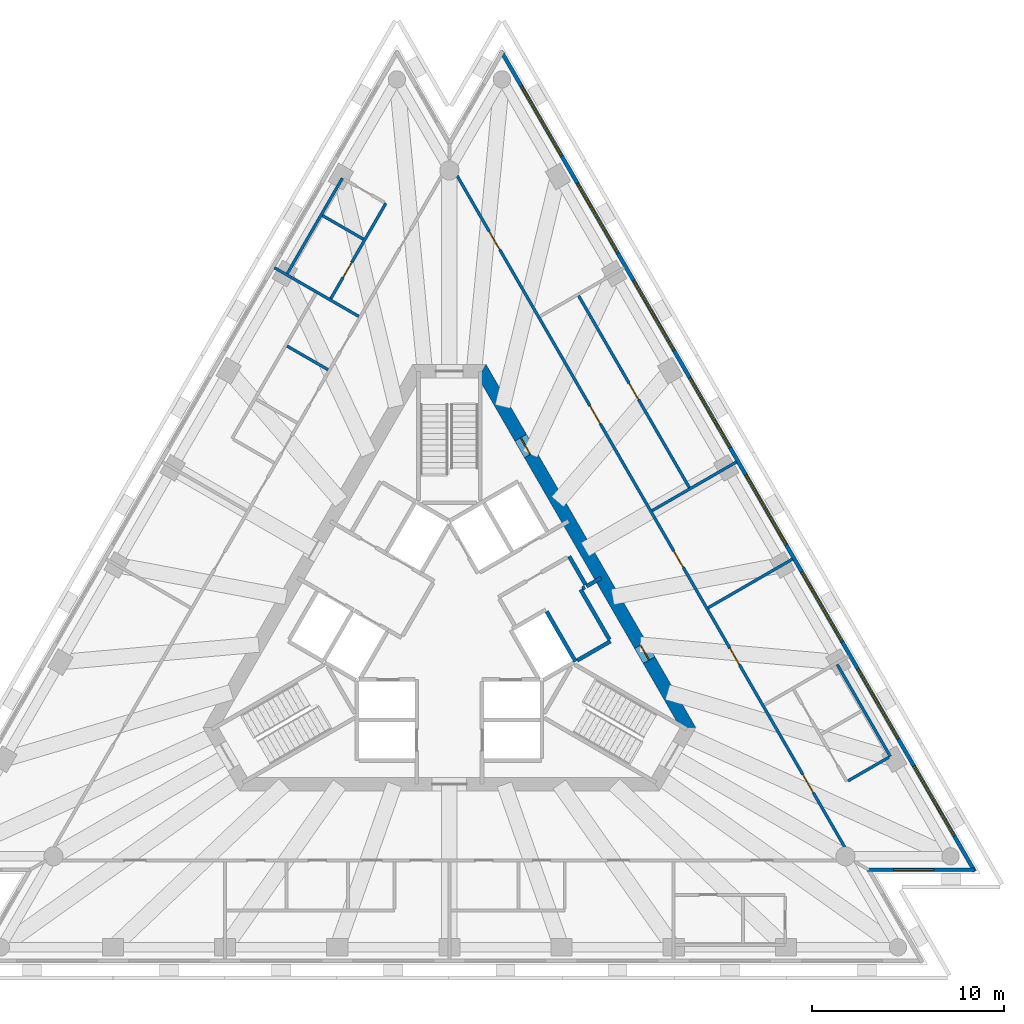
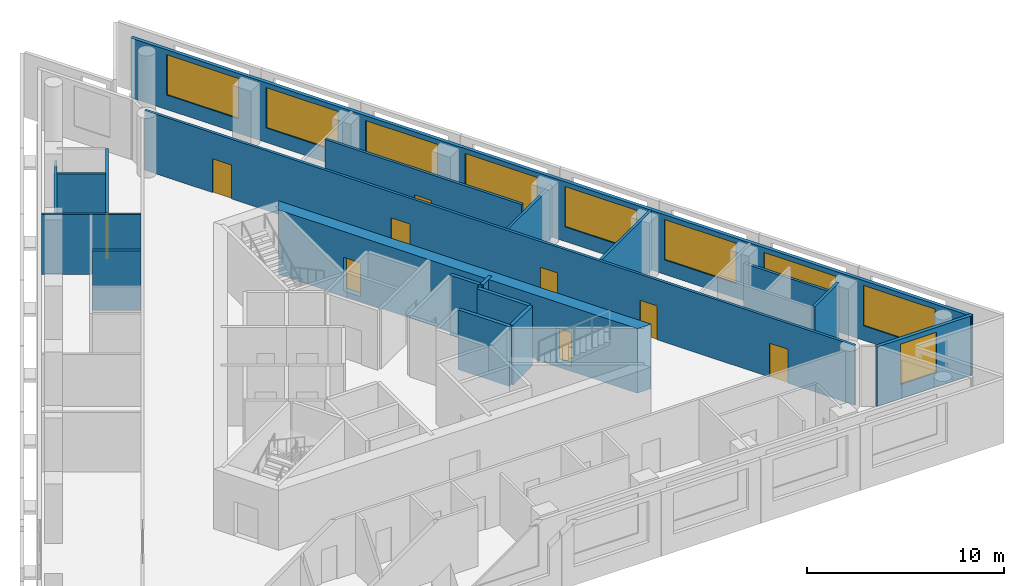
# One storey, part 6 of 10: 20 walls, 9 doors, 9 windows, 18 openings.
"""IFC4 building model written with IfcOpenShell, lengths in metres."""

from ifc_helpers import new_model, si_unit, direction, frame, frame_2d, origin, place, context, subcontext, project, spatial, polyline, rectangle, outline, extrude, material, layer, layer_set, layer_usage, type_object, element, fill, save


model = new_model("IFC4")

# Units and contexts
model_context = context("Model", 3, precision=1e-05, world=origin(), true_north=direction((0.0, 1.0)))
body_context = subcontext(model_context, "Body", "Model", "MODEL_VIEW")
ifc_project = project(units=[si_unit("LENGTHUNIT", "METRE"), si_unit("AREAUNIT", "SQUARE_METRE"), si_unit("VOLUMEUNIT", "CUBIC_METRE"), si_unit("PLANEANGLEUNIT", "RADIAN"), si_unit("MASSUNIT", "GRAM", prefix="KILO")], contexts=[model_context])

# Site, building, storey
site_placement = place(None, origin())
site = spatial("IfcSite", under=ifc_project, at=site_placement, CompositionType="ELEMENT")
building_placement = place(site_placement, origin())
building = spatial("IfcBuilding", under=site, at=building_placement, Name="Triada Interchange Tower", CompositionType="ELEMENT")
storey_placement = place(building_placement, frame((0.0, 0.0, 247.300048828125)))
storey = spatial("IfcBuildingStorey", under=building, at=storey_placement, Name="L58", CompositionType="ELEMENT", Elevation=247.300048828125)

# Walls
ifc_material_1 = material(Name="Concrete C30/37", Category="concrete")
ifc_layer_1 = layer(ifc_material_1, 0.199951171875)
ifc_layer_set_1 = layer_set([ifc_layer_1], Name="CORE WALL 200 EI 120")
wall_type_1 = type_object("IfcWallType", Name="CORE WALL 200 EI 120", PredefinedType="SOLIDWALL", material=ifc_layer_set_1)
wall_1_placement = place(storey_placement, frame((7.12890625, 2.153076171875, 0.0), z_axis=(0.0, 0.0, 1.0), x_axis=(0.866083962871, 0.499898558967, 0.0)))
element("IfcWall", 1, at=wall_1_placement, inside=storey, type_object=wall_type_1, Name="Wall L56 58", PredefinedType="SOLIDWALL", context=body_context, shape_type="SweptSolid", body=[
    extrude(rectangle(XDim=0.880126953125, YDim=0.199951171875, at=frame_2d((0.43994140625, 0.0))), origin(), (0.0, 0.0, 1.0), 3.699951171875),
])
wall_2_placement = place(storey_placement, frame((5.056884765625, 0.841064453125, 0.0), z_axis=(0.0, 0.0, 1.0), x_axis=(0.499990139034, -0.866031096941, 0.0)))
element("IfcWall", 2, at=wall_2_placement, inside=storey, type_object=wall_type_1, Name="Wall L56 61", PredefinedType="SOLIDWALL", context=body_context, shape_type="SweptSolid", body=[
    extrude(rectangle(XDim=3.0, YDim=0.199951171875, at=frame_2d((1.5, 0.0))), origin(), (0.0, 0.0, 1.0), 3.699951171875),
])
wall_3_placement = place(storey_placement, frame((6.22900390625, 3.7119140625, 0.0), z_axis=(0.0, 0.0, 1.0), x_axis=(0.499875724984, -0.86609714211, 0.0)))
element("IfcWall", 3, at=wall_3_placement, inside=storey, type_object=wall_type_1, Name="Wall L56 63", PredefinedType="SOLIDWALL", context=body_context, shape_type="SweptSolid", body=[
    extrude(rectangle(XDim=1.70068359375, YDim=0.199951171875, at=frame_2d((0.850341796875, 0.0))), origin(), (0.0, 0.0, 1.0), 3.699951171875),
])
ifc_layer_2 = layer(ifc_material_1, 0.199951171875)
ifc_layer_set_2 = layer_set([ifc_layer_2], Name="CORE WALL 200 EI 90")
wall_type_2 = type_object("IfcWallType", Name="CORE WALL 200 EI 90", PredefinedType="SOLIDWALL", material=ifc_layer_set_2)
wall_4_placement = place(storey_placement, frame((6.64208984375, -1.7080078125, 0.0), z_axis=(0.0, 0.0, 1.0), x_axis=(0.866043441391, 0.499968756647, 0.0)))
element("IfcWall", 4, at=wall_4_placement, inside=storey, type_object=wall_type_2, Name="Wall L56 81", PredefinedType="SOLIDWALL", context=body_context, shape_type="SweptSolid", body=[
    extrude(rectangle(XDim=2.002197265625, YDim=0.199951171875, at=frame_2d((1.0009765625, 0.0))), origin(), (0.0, 0.0, 1.0), 3.699951171875),
])
wall_5_placement = place(storey_placement, frame((6.825927734375, 1.97802734375, 0.0), z_axis=(0.0, 0.0, 1.0), x_axis=(0.499990139034, -0.866031096941, 0.0)))
element("IfcWall", 5, at=wall_5_placement, inside=storey, type_object=wall_type_2, Name="Wall L56 82", PredefinedType="SOLIDWALL", context=body_context, shape_type="SweptSolid", body=[
    extrude(rectangle(XDim=3.0, YDim=0.199951171875, at=frame_2d((1.5, 0.0))), origin(), (0.0, 0.0, 1.0), 3.699951171875),
])
wall_6_placement = place(storey_placement, frame((6.912109375, 2.028076171875, 0.0), z_axis=(0.0, 0.0, 1.0), x_axis=(0.866559367082, 0.499074005857, 0.0)))
element("IfcWall", 6, at=wall_6_placement, inside=storey, type_object=wall_type_2, Name="Wall L56 83", PredefinedType="SOLIDWALL", context=body_context, shape_type="SweptSolid", body=[
    extrude(rectangle(XDim=0.152099609375, YDim=0.199951171875, at=frame_2d((0.076171875, 0.0))), origin(), (0.0, 0.0, 1.0), 3.699951171875),
])

# Wall, openings, doors
ifc_material_2 = material(Name="Concrete C50/60", Category="concrete")
ifc_layer_3 = layer(ifc_material_2, 0.699951171875)
ifc_layer_set_3 = layer_set([ifc_layer_3], Name="Core wall C 700")
wall_type_3 = type_object("IfcWallType", Name="Core wall C 700", PredefinedType="SHEAR", material=ifc_layer_set_3)
wall_7_placement = place(storey_placement, frame((12.4130859375, -5.199951171875, -0.300048828125), z_axis=(0.0, 0.0, 1.0), x_axis=(-0.500011533395, 0.866018744874, 0.0)))
wall_7 = element("IfcWall", 7, at=wall_7_placement, inside=storey, type_object=wall_type_3, Name="Core wall WC06 L58", PredefinedType="SHEAR", context=body_context, shape_type="SweptSolid", body=[
    extrude(outline(polyline([(-0.201904296875, -0.35009765625), (1.781982421875, -0.35009765625), (3.76611328125, -0.35009765625), (5.75, -0.35009765625), (7.734130859375, -0.35009765625), (9.718017578125, -0.35009765625), (11.7021484375, -0.35009765625), (13.68603515625, -0.35009765625), (15.670166015625, -0.35009765625), (17.654052734375, -0.35009765625), (19.63818359375, -0.35009765625), (21.6220703125, -0.35009765625), (21.218017578125, 0.35009765625), (19.307373046875, 0.35009765625), (17.39697265625, 0.35009765625), (15.486328125, 0.35009765625), (13.57568359375, 0.35009765625), (11.665283203125, 0.35009765625), (9.754638671875, 0.35009765625), (7.84423828125, 0.35009765625), (5.93359375, 0.35009765625), (4.02294921875, 0.35009765625), (2.112548828125, 0.35009765625), (0.201904296875, 0.35009765625), (-0.201904296875, -0.35009765625)])), origin(), (0.0, 0.0, 1.0), 4.0),
])
opening_1_placement = place(wall_7_placement, frame((4.054931640625, 0.0, 0.300048828125)))
opening_1 = element("IfcOpeningElement", 8, at=opening_1_placement, cuts=wall_7, Name="Opening D56-44", PredefinedType="OPENING", context=body_context, shape_type="SweptSolid", body=[
    extrude(rectangle(XDim=0.89990234375, YDim=2.10009765625, at=frame_2d((0.449951171875, 1.050048828125))), frame((0.0, 0.360107421875, 0.0), z_axis=(0.0, -1.0, 0.0), x_axis=(1.0, 0.0, 0.0)), (0.0, 0.0, 1.0), 0.72021484375),
])
opening_2_placement = place(wall_7_placement, frame((16.4150390625, 0.0, 0.300048828125)))
opening_2 = element("IfcOpeningElement", 9, at=opening_2_placement, cuts=wall_7, Name="Opening D56-45", PredefinedType="OPENING", context=body_context, shape_type="SweptSolid", body=[
    extrude(rectangle(XDim=1.0, YDim=2.10009765625, at=frame_2d((0.5, 1.050048828125))), frame((0.0, 0.360107421875, 0.0), z_axis=(0.0, -1.0, 0.0), x_axis=(1.0, 0.0, 0.0)), (0.0, 0.0, 1.0), 0.72021484375),
])
ifc_material_3 = material(Name="Steel S235 door leaf", Category="steel")
door_type_1 = type_object("IfcDoorType", Name="SERVICE DOOR 1000 EI2 45-C5S200", OperationType="NOTDEFINED", PredefinedType="DOOR", material=ifc_material_3)
door_1_placement = place(opening_2_placement, origin())
door_1 = element("IfcDoor", 10, at=door_1_placement, inside=storey, type_object=door_type_1, Name="Door D56-45 L58", OperationType="SINGLE_SWING_RIGHT", OverallHeight=2.10009765625, OverallWidth=1.0, PredefinedType="DOOR", context=body_context, shape_type="SweptSolid", body=[
    extrude(rectangle(XDim=1.0, YDim=2.10009765625, at=frame_2d((0.5, 1.050048828125))), frame((0.0, 0.02490234375, 0.0), z_axis=(0.0, -1.0, 0.0), x_axis=(1.0, 0.0, 0.0)), (0.0, 0.0, 1.0), 0.050048828125),
])
fill(opening_2, door_1)
door_type_2 = type_object("IfcDoorType", Name="SERVICE DOOR 900 EI2 45-C5S200", OperationType="NOTDEFINED", PredefinedType="DOOR", material=ifc_material_3)
door_2_placement = place(opening_1_placement, origin())
door_2 = element("IfcDoor", 11, at=door_2_placement, inside=storey, type_object=door_type_2, Name="Door D56-44 L58", OperationType="SINGLE_SWING_RIGHT", OverallHeight=2.10009765625, OverallWidth=0.89990234375, PredefinedType="DOOR", context=body_context, shape_type="SweptSolid", body=[
    extrude(rectangle(XDim=0.89990234375, YDim=2.10009765625, at=frame_2d((0.449951171875, 1.050048828125))), frame((0.0, 0.02490234375, 0.0), z_axis=(0.0, -1.0, 0.0), x_axis=(1.0, 0.0, 0.0)), (0.0, 0.0, 1.0), 0.050048828125),
])
fill(opening_1, door_2)

# Wall, opening, window
ifc_material_4 = material(Name="Cement board")
ifc_layer_4 = layer(ifc_material_4, 0.02001953125, Name="Cement board cladding")
ifc_material_5 = material(Name="Sheathing board")
ifc_layer_5 = layer(ifc_material_5, 0.014892578125, Name="Sheathing board")
ifc_material_6 = material(Name="Mineral wool")
ifc_layer_6 = layer(ifc_material_6, 0.14990234375, Name="Mineral wool between steel studs")
ifc_material_7 = material(Name="Gypsum board")
ifc_layer_7 = layer(ifc_material_7, 0.014892578125, Name="Plasterboard lining")
ifc_layer_set_4 = layer_set([ifc_layer_4, ifc_layer_5, ifc_layer_6, ifc_layer_7], Name="External wall 200")
ifc_layer_usage = layer_usage(ifc_layer_set_4, "AXIS2", "POSITIVE", -0.10009765625)
wall_type_4 = type_object("IfcWallType", Name="External wall 200", PredefinedType="ELEMENTEDWALL", material=ifc_layer_set_4)
wall_8_placement = place(storey_placement, frame((21.720947265625, -12.593017578125, 0.0), z_axis=(0.0, 0.0, 1.0), x_axis=(1.0, 0.0, 0.0)))
wall_8 = element("IfcWall", 12, at=wall_8_placement, inside=storey, type_object=wall_type_4, material=ifc_layer_usage, Name="External wall L58 SE-2", PredefinedType="ELEMENTEDWALL", context=body_context, shape_type="SweptSolid", body=[
    extrude(rectangle(XDim=5.6240234375, YDim=0.199951171875, at=frame_2d((2.81201171875, 0.0))), origin(), (0.0, 0.0, 1.0), 3.699951171875),
])
opening_3_placement = place(wall_8_placement, frame((1.389892578125, 0.0, 0.89990234375)))
opening_3 = element("IfcOpeningElement", 13, at=opening_3_placement, cuts=wall_8, Name="Opening WC20", PredefinedType="OPENING", context=body_context, shape_type="SweptSolid", body=[
    extrude(rectangle(XDim=2.10009765625, YDim=2.5, at=frame_2d((1.050048828125, 1.25))), frame((0.0, 0.10986328125, 0.0), z_axis=(0.0, -1.0, 0.0), x_axis=(1.0, 0.0, 0.0)), (0.0, 0.0, 1.0), 0.219970703125),
])
ifc_material_8 = material(Name="Double glazed aluminium window", Category="aluminium")
window_type_1 = type_object("IfcWindowType", Name="Ribbon window C pocket", PartitioningType="SINGLE_PANEL", PredefinedType="WINDOW", material=ifc_material_8)
window_1_placement = place(opening_3_placement, origin())
window_1 = element("IfcWindow", 14, at=window_1_placement, inside=storey, type_object=window_type_1, Name="Window L58 SE-2 1", OverallHeight=2.5, OverallWidth=2.10009765625, PartitioningType="SINGLE_PANEL", PredefinedType="WINDOW", context=body_context, shape_type="SweptSolid", body=[
    extrude(rectangle(XDim=2.10009765625, YDim=2.5, at=frame_2d((1.050048828125, 1.25))), frame((0.0, 0.030029296875, 0.0), z_axis=(0.0, -1.0, 0.0), x_axis=(1.0, 0.0, 0.0)), (0.0, 0.0, 1.0), 0.06005859375),
])
fill(opening_3, window_1)

# Wall, openings, windows
wall_9_placement = place(storey_placement, frame((27.320068359375, -12.6708984375, 0.0), z_axis=(0.0, 0.0, 1.0), x_axis=(-0.499995097538, 0.866028234204, 0.0)))
wall_9 = element("IfcWall", 15, at=wall_9_placement, inside=storey, type_object=wall_type_4, material=ifc_layer_usage, Name="External wall L58 NE", PredefinedType="ELEMENTEDWALL", context=body_context, shape_type="SweptSolid", body=[
    extrude(rectangle(XDim=49.24658203125, YDim=0.199951171875, at=frame_2d((24.623291015625, 0.0))), origin(), (0.0, 0.0, 1.0), 3.699951171875),
])
opening_4_placement = place(wall_9_placement, frame((2.118896484375, 0.0, 0.89990234375)))
opening_4 = element("IfcOpeningElement", 16, at=opening_4_placement, cuts=wall_9, Name="Opening WC21", PredefinedType="OPENING", context=body_context, shape_type="SweptSolid", body=[
    extrude(rectangle(XDim=4.199951171875, YDim=2.5, at=frame_2d((2.10009765625, 1.25))), frame((0.0, 0.10986328125, 0.0), z_axis=(0.0, -1.0, 0.0), x_axis=(1.0, 0.0, 0.0)), (0.0, 0.0, 1.0), 0.219970703125),
])
opening_5_placement = place(wall_9_placement, frame((7.951904296875, 0.0, 0.89990234375)))
opening_5 = element("IfcOpeningElement", 17, at=opening_5_placement, cuts=wall_9, Name="Opening WC22", PredefinedType="OPENING", context=body_context, shape_type="SweptSolid", body=[
    extrude(rectangle(XDim=4.199951171875, YDim=2.5, at=frame_2d((2.10009765625, 1.25))), frame((0.0, 0.10986328125, 0.0), z_axis=(0.0, -1.0, 0.0), x_axis=(1.0, 0.0, 0.0)), (0.0, 0.0, 1.0), 0.219970703125),
])
opening_6_placement = place(wall_9_placement, frame((13.783935546875, 0.0, 0.89990234375)))
opening_6 = element("IfcOpeningElement", 18, at=opening_6_placement, cuts=wall_9, Name="Opening WC23", PredefinedType="OPENING", context=body_context, shape_type="SweptSolid", body=[
    extrude(rectangle(XDim=4.199951171875, YDim=2.5, at=frame_2d((2.10009765625, 1.25))), frame((0.0, 0.10986328125, 0.0), z_axis=(0.0, -1.0, 0.0), x_axis=(1.0, 0.0, 0.0)), (0.0, 0.0, 1.0), 0.219970703125),
])
opening_7_placement = place(wall_9_placement, frame((19.616943359375, 0.0, 0.89990234375)))
opening_7 = element("IfcOpeningElement", 19, at=opening_7_placement, cuts=wall_9, Name="Opening WC24", PredefinedType="OPENING", context=body_context, shape_type="SweptSolid", body=[
    extrude(rectangle(XDim=4.199951171875, YDim=2.5, at=frame_2d((2.10009765625, 1.25))), frame((0.0, 0.10986328125, 0.0), z_axis=(0.0, -1.0, 0.0), x_axis=(1.0, 0.0, 0.0)), (0.0, 0.0, 1.0), 0.219970703125),
])
opening_8_placement = place(wall_9_placement, frame((25.449951171875, 0.0, 0.89990234375)))
opening_8 = element("IfcOpeningElement", 20, at=opening_8_placement, cuts=wall_9, Name="Opening WC25", PredefinedType="OPENING", context=body_context, shape_type="SweptSolid", body=[
    extrude(rectangle(XDim=4.199951171875, YDim=2.5, at=frame_2d((2.10009765625, 1.25))), frame((0.0, 0.10986328125, 0.0), z_axis=(0.0, -1.0, 0.0), x_axis=(1.0, 0.0, 0.0)), (0.0, 0.0, 1.0), 0.219970703125),
])
opening_9_placement = place(wall_9_placement, frame((31.281982421875, 0.0, 0.89990234375)))
opening_9 = element("IfcOpeningElement", 21, at=opening_9_placement, cuts=wall_9, Name="Opening WC26", PredefinedType="OPENING", context=body_context, shape_type="SweptSolid", body=[
    extrude(rectangle(XDim=4.199951171875, YDim=2.5, at=frame_2d((2.10009765625, 1.25))), frame((0.0, 0.10986328125, 0.0), z_axis=(0.0, -1.0, 0.0), x_axis=(1.0, 0.0, 0.0)), (0.0, 0.0, 1.0), 0.219970703125),
])
opening_10_placement = place(wall_9_placement, frame((37.114990234375, 0.0, 0.89990234375)))
opening_10 = element("IfcOpeningElement", 22, at=opening_10_placement, cuts=wall_9, Name="Opening WC27", PredefinedType="OPENING", context=body_context, shape_type="SweptSolid", body=[
    extrude(rectangle(XDim=4.199951171875, YDim=2.5, at=frame_2d((2.10009765625, 1.25))), frame((0.0, 0.10986328125, 0.0), z_axis=(0.0, -1.0, 0.0), x_axis=(1.0, 0.0, 0.0)), (0.0, 0.0, 1.0), 0.219970703125),
])
opening_11_placement = place(wall_9_placement, frame((42.947021484375, 0.0, 0.89990234375)))
opening_11 = element("IfcOpeningElement", 23, at=opening_11_placement, cuts=wall_9, Name="Opening WC28", PredefinedType="OPENING", context=body_context, shape_type="SweptSolid", body=[
    extrude(rectangle(XDim=4.199951171875, YDim=2.5, at=frame_2d((2.10009765625, 1.25))), frame((0.0, 0.10986328125, 0.0), z_axis=(0.0, -1.0, 0.0), x_axis=(1.0, 0.0, 0.0)), (0.0, 0.0, 1.0), 0.219970703125),
])
window_type_2 = type_object("IfcWindowType", Name="Ribbon window C face", PartitioningType="SINGLE_PANEL", PredefinedType="WINDOW", material=ifc_material_8)
window_2_placement = place(opening_4_placement, origin())
window_2 = element("IfcWindow", 24, at=window_2_placement, inside=storey, type_object=window_type_2, Name="Window L58 NE 1", OverallHeight=2.5, OverallWidth=4.199951171875, PartitioningType="SINGLE_PANEL", PredefinedType="WINDOW", context=body_context, shape_type="SweptSolid", body=[
    extrude(rectangle(XDim=4.199951171875, YDim=2.5, at=frame_2d((2.10009765625, 1.25))), frame((0.0, 0.030029296875, 0.0), z_axis=(0.0, -1.0, 0.0), x_axis=(1.0, 0.0, 0.0)), (0.0, 0.0, 1.0), 0.06005859375),
])
fill(opening_4, window_2)
window_3_placement = place(opening_5_placement, origin())
window_3 = element("IfcWindow", 25, at=window_3_placement, inside=storey, type_object=window_type_2, Name="Window L58 NE 2", OverallHeight=2.5, OverallWidth=4.199951171875, PartitioningType="SINGLE_PANEL", PredefinedType="WINDOW", context=body_context, shape_type="SweptSolid", body=[
    extrude(rectangle(XDim=4.199951171875, YDim=2.5, at=frame_2d((2.10009765625, 1.25))), frame((0.0, 0.030029296875, 0.0), z_axis=(0.0, -1.0, 0.0), x_axis=(1.0, 0.0, 0.0)), (0.0, 0.0, 1.0), 0.06005859375),
])
fill(opening_5, window_3)
window_4_placement = place(opening_6_placement, origin())
window_4 = element("IfcWindow", 26, at=window_4_placement, inside=storey, type_object=window_type_2, Name="Window L58 NE 3", OverallHeight=2.5, OverallWidth=4.199951171875, PartitioningType="SINGLE_PANEL", PredefinedType="WINDOW", context=body_context, shape_type="SweptSolid", body=[
    extrude(rectangle(XDim=4.199951171875, YDim=2.5, at=frame_2d((2.10009765625, 1.25))), frame((0.0, 0.030029296875, 0.0), z_axis=(0.0, -1.0, 0.0), x_axis=(1.0, 0.0, 0.0)), (0.0, 0.0, 1.0), 0.06005859375),
])
fill(opening_6, window_4)
window_5_placement = place(opening_7_placement, origin())
window_5 = element("IfcWindow", 27, at=window_5_placement, inside=storey, type_object=window_type_2, Name="Window L58 NE 4", OverallHeight=2.5, OverallWidth=4.199951171875, PartitioningType="SINGLE_PANEL", PredefinedType="WINDOW", context=body_context, shape_type="SweptSolid", body=[
    extrude(rectangle(XDim=4.199951171875, YDim=2.5, at=frame_2d((2.10009765625, 1.25))), frame((0.0, 0.030029296875, 0.0), z_axis=(0.0, -1.0, 0.0), x_axis=(1.0, 0.0, 0.0)), (0.0, 0.0, 1.0), 0.06005859375),
])
fill(opening_7, window_5)
window_6_placement = place(opening_8_placement, origin())
window_6 = element("IfcWindow", 28, at=window_6_placement, inside=storey, type_object=window_type_2, Name="Window L58 NE 5", OverallHeight=2.5, OverallWidth=4.199951171875, PartitioningType="SINGLE_PANEL", PredefinedType="WINDOW", context=body_context, shape_type="SweptSolid", body=[
    extrude(rectangle(XDim=4.199951171875, YDim=2.5, at=frame_2d((2.10009765625, 1.25))), frame((0.0, 0.030029296875, 0.0), z_axis=(0.0, -1.0, 0.0), x_axis=(1.0, 0.0, 0.0)), (0.0, 0.0, 1.0), 0.06005859375),
])
fill(opening_8, window_6)
window_7_placement = place(opening_9_placement, origin())
window_7 = element("IfcWindow", 29, at=window_7_placement, inside=storey, type_object=window_type_2, Name="Window L58 NE 6", OverallHeight=2.5, OverallWidth=4.199951171875, PartitioningType="SINGLE_PANEL", PredefinedType="WINDOW", context=body_context, shape_type="SweptSolid", body=[
    extrude(rectangle(XDim=4.199951171875, YDim=2.5, at=frame_2d((2.10009765625, 1.25))), frame((0.0, 0.030029296875, 0.0), z_axis=(0.0, -1.0, 0.0), x_axis=(1.0, 0.0, 0.0)), (0.0, 0.0, 1.0), 0.06005859375),
])
fill(opening_9, window_7)
window_8_placement = place(opening_10_placement, origin())
window_8 = element("IfcWindow", 30, at=window_8_placement, inside=storey, type_object=window_type_2, Name="Window L58 NE 7", OverallHeight=2.5, OverallWidth=4.199951171875, PartitioningType="SINGLE_PANEL", PredefinedType="WINDOW", context=body_context, shape_type="SweptSolid", body=[
    extrude(rectangle(XDim=4.199951171875, YDim=2.5, at=frame_2d((2.10009765625, 1.25))), frame((0.0, 0.030029296875, 0.0), z_axis=(0.0, -1.0, 0.0), x_axis=(1.0, 0.0, 0.0)), (0.0, 0.0, 1.0), 0.06005859375),
])
fill(opening_10, window_8)
window_9_placement = place(opening_11_placement, origin())
window_9 = element("IfcWindow", 31, at=window_9_placement, inside=storey, type_object=window_type_2, Name="Window L58 NE 8", OverallHeight=2.5, OverallWidth=4.199951171875, PartitioningType="SINGLE_PANEL", PredefinedType="WINDOW", context=body_context, shape_type="SweptSolid", body=[
    extrude(rectangle(XDim=4.199951171875, YDim=2.5, at=frame_2d((2.10009765625, 1.25))), frame((0.0, 0.030029296875, 0.0), z_axis=(0.0, -1.0, 0.0), x_axis=(1.0, 0.0, 0.0)), (0.0, 0.0, 1.0), 0.06005859375),
])
fill(opening_11, window_9)

# Walls
ifc_material_9 = material(Name="Gypsum board partition")
ifc_layer_8 = layer(ifc_material_9, 0.14990234375)
ifc_layer_set_5 = layer_set([ifc_layer_8], Name="PARTITION 150 EI 180")
wall_type_5 = type_object("IfcWallType", Name="PARTITION 150 EI 180", PredefinedType="PARTITIONING", material=ifc_layer_set_5)
wall_10_placement = place(storey_placement, frame((10.5439453125, 6.087890625, 0.0), z_axis=(0.0, 0.0, 1.0), x_axis=(0.866065287345, 0.499930913282, 0.0)))
element("IfcWall", 32, at=wall_10_placement, inside=storey, type_object=wall_type_5, Name="Wall L56 2", PredefinedType="PARTITIONING", context=body_context, shape_type="SweptSolid", body=[
    extrude(rectangle(XDim=5.069091796875, YDim=0.14990234375, at=frame_2d((2.53466796875, 0.0))), origin(), (0.0, 0.0, 1.0), 3.199951171875),
])
wall_11_placement = place(storey_placement, frame((-9.10107421875, 18.72412109375, 0.0), z_axis=(0.0, 0.0, 1.0), x_axis=(0.866065287345, -0.499930913282, 0.0)))
element("IfcWall", 33, at=wall_11_placement, inside=storey, type_object=wall_type_5, Name="Wall L56 14", PredefinedType="PARTITIONING", context=body_context, shape_type="SweptSolid", body=[
    extrude(rectangle(XDim=5.069091796875, YDim=0.14990234375, at=frame_2d((2.53466796875, 0.0))), origin(), (0.0, 0.0, 1.0), 3.699951171875),
])
wall_12_placement = place(storey_placement, frame((-8.444091796875, 14.64892578125, 0.0), z_axis=(0.0, 0.0, 1.0), x_axis=(0.86612451545, -0.499828294254, 0.0)))
element("IfcWall", 34, at=wall_12_placement, inside=storey, type_object=wall_type_5, Name="Wall L56 15", PredefinedType="PARTITIONING", context=body_context, shape_type="SweptSolid", body=[
    extrude(rectangle(XDim=2.462646484375, YDim=0.14990234375, at=frame_2d((1.2314453125, 0.0))), origin(), (0.0, 0.0, 1.0), 3.699951171875),
])

# Wall, openings, doors
wall_13_placement = place(storey_placement, frame((0.074951171875, 24.070068359375, 0.0), z_axis=(0.0, 0.0, 1.0), x_axis=(0.500006834213, -0.866021458014, 0.0)))
wall_13 = element("IfcWall", 35, at=wall_13_placement, inside=storey, type_object=wall_type_5, Name="Wall L56 21", PredefinedType="PARTITIONING", context=body_context, shape_type="SweptSolid", body=[
    extrude(rectangle(XDim=41.61572265625, YDim=0.14990234375, at=frame_2d((20.807861328125, 0.0))), origin(), (0.0, 0.0, 1.0), 3.699951171875),
])
opening_12_placement = place(wall_13_placement, frame((36.615966796875, 0.0, 0.0)))
opening_12 = element("IfcOpeningElement", 36, at=opening_12_placement, cuts=wall_13, Name="Opening D56-22", PredefinedType="OPENING", context=body_context, shape_type="SweptSolid", body=[
    extrude(rectangle(XDim=1.10009765625, YDim=2.10009765625, at=frame_2d((0.550048828125, 1.050048828125))), frame((0.0, 0.0849609375, 0.0), z_axis=(0.0, -1.0, 0.0), x_axis=(1.0, 0.0, 0.0)), (0.0, 0.0, 1.0), 0.169921875),
])
opening_13_placement = place(wall_13_placement, frame((29.02392578125, 0.0, 0.0)))
opening_13 = element("IfcOpeningElement", 37, at=opening_13_placement, cuts=wall_13, Name="Opening D56-25", PredefinedType="OPENING", context=body_context, shape_type="SweptSolid", body=[
    extrude(rectangle(XDim=1.0, YDim=2.10009765625, at=frame_2d((0.5, 1.050048828125))), frame((0.0, 0.0849609375, 0.0), z_axis=(0.0, -1.0, 0.0), x_axis=(1.0, 0.0, 0.0)), (0.0, 0.0, 1.0), 0.169921875),
])
opening_14_placement = place(wall_13_placement, frame((23.18994140625, 0.0, 0.0)))
opening_14 = element("IfcOpeningElement", 38, at=opening_14_placement, cuts=wall_13, Name="Opening D56-26", PredefinedType="OPENING", context=body_context, shape_type="SweptSolid", body=[
    extrude(rectangle(XDim=1.0, YDim=2.10009765625, at=frame_2d((0.5, 1.050048828125))), frame((0.0, 0.0849609375, 0.0), z_axis=(0.0, -1.0, 0.0), x_axis=(1.0, 0.0, 0.0)), (0.0, 0.0, 1.0), 0.169921875),
])
opening_15_placement = place(wall_13_placement, frame((14.4580078125, 0.0, 0.0)))
opening_15 = element("IfcOpeningElement", 39, at=opening_15_placement, cuts=wall_13, Name="Opening D56-27", PredefinedType="OPENING", context=body_context, shape_type="SweptSolid", body=[
    extrude(rectangle(XDim=1.10009765625, YDim=2.10009765625, at=frame_2d((0.550048828125, 1.050048828125))), frame((0.0, 0.0849609375, 0.0), z_axis=(0.0, -1.0, 0.0), x_axis=(1.0, 0.0, 0.0)), (0.0, 0.0, 1.0), 0.169921875),
])
opening_16_placement = place(wall_13_placement, frame((3.992919921875, 0.0, 0.0)))
opening_16 = element("IfcOpeningElement", 40, at=opening_16_placement, cuts=wall_13, Name="Opening D56-29", PredefinedType="OPENING", context=body_context, shape_type="SweptSolid", body=[
    extrude(rectangle(XDim=1.10009765625, YDim=2.10009765625, at=frame_2d((0.550048828125, 1.050048828125))), frame((0.0, 0.0849609375, 0.0), z_axis=(0.0, -1.0, 0.0), x_axis=(1.0, 0.0, 0.0)), (0.0, 0.0, 1.0), 0.169921875),
])
door_type_3 = type_object("IfcDoorType", Name="ROOM DOOR 1000 EI2 90-C5S200", OperationType="NOTDEFINED", PredefinedType="DOOR", material=ifc_material_3)
door_3_placement = place(opening_13_placement, origin())
door_3 = element("IfcDoor", 41, at=door_3_placement, inside=storey, type_object=door_type_3, Name="Door D56-25 L58", OperationType="SINGLE_SWING_RIGHT", OverallHeight=2.10009765625, OverallWidth=1.0, PredefinedType="DOOR", context=body_context, shape_type="SweptSolid", body=[
    extrude(rectangle(XDim=1.0, YDim=2.10009765625, at=frame_2d((0.5, 1.050048828125))), frame((0.0, 0.02490234375, 0.0), z_axis=(0.0, -1.0, 0.0), x_axis=(1.0, 0.0, 0.0)), (0.0, 0.0, 1.0), 0.050048828125),
])
fill(opening_13, door_3)
door_4_placement = place(opening_14_placement, origin())
door_4 = element("IfcDoor", 42, at=door_4_placement, inside=storey, type_object=door_type_3, Name="Door D56-26 L58", OperationType="SINGLE_SWING_RIGHT", OverallHeight=2.10009765625, OverallWidth=1.0, PredefinedType="DOOR", context=body_context, shape_type="SweptSolid", body=[
    extrude(rectangle(XDim=1.0, YDim=2.10009765625, at=frame_2d((0.5, 1.050048828125))), frame((0.0, 0.02490234375, 0.0), z_axis=(0.0, -1.0, 0.0), x_axis=(1.0, 0.0, 0.0)), (0.0, 0.0, 1.0), 0.050048828125),
])
fill(opening_14, door_4)
door_type_4 = type_object("IfcDoorType", Name="TENANCY ENTRANCE DOOR 1100 EI2 90-C5S200", OperationType="NOTDEFINED", PredefinedType="DOOR", material=ifc_material_3)
door_5_placement = place(opening_12_placement, origin())
door_5 = element("IfcDoor", 43, at=door_5_placement, inside=storey, type_object=door_type_4, Name="Door D56-22 L58", OperationType="SINGLE_SWING_RIGHT", OverallHeight=2.10009765625, OverallWidth=1.10009765625, PredefinedType="DOOR", context=body_context, shape_type="SweptSolid", body=[
    extrude(rectangle(XDim=1.10009765625, YDim=2.10009765625, at=frame_2d((0.550048828125, 1.050048828125))), frame((0.0, 0.02490234375, 0.0), z_axis=(0.0, -1.0, 0.0), x_axis=(1.0, 0.0, 0.0)), (0.0, 0.0, 1.0), 0.050048828125),
])
fill(opening_12, door_5)
door_6_placement = place(opening_15_placement, origin())
door_6 = element("IfcDoor", 44, at=door_6_placement, inside=storey, type_object=door_type_4, Name="Door D56-27 L58", OperationType="SINGLE_SWING_LEFT", OverallHeight=2.10009765625, OverallWidth=1.10009765625, PredefinedType="DOOR", context=body_context, shape_type="SweptSolid", body=[
    extrude(rectangle(XDim=1.10009765625, YDim=2.10009765625, at=frame_2d((0.550048828125, 1.050048828125))), frame((0.0, 0.02490234375, 0.0), z_axis=(0.0, -1.0, 0.0), x_axis=(1.0, 0.0, 0.0)), (0.0, 0.0, 1.0), 0.050048828125),
])
fill(opening_15, door_6)
door_7_placement = place(opening_16_placement, origin())
door_7 = element("IfcDoor", 45, at=door_7_placement, inside=storey, type_object=door_type_4, Name="Door D56-29 L58", OperationType="SINGLE_SWING_LEFT", OverallHeight=2.10009765625, OverallWidth=1.10009765625, PredefinedType="DOOR", context=body_context, shape_type="SweptSolid", body=[
    extrude(rectangle(XDim=1.10009765625, YDim=2.10009765625, at=frame_2d((0.550048828125, 1.050048828125))), frame((0.0, 0.02490234375, 0.0), z_axis=(0.0, -1.0, 0.0), x_axis=(1.0, 0.0, 0.0)), (0.0, 0.0, 1.0), 0.050048828125),
])
fill(opening_16, door_7)

# Walls
wall_14_placement = place(storey_placement, frame((13.4599609375, 1.037109375, 0.0), z_axis=(0.0, 0.0, 1.0), x_axis=(0.866086140321, 0.499894786475, 0.0)))
element("IfcWall", 46, at=wall_14_placement, inside=storey, type_object=wall_type_5, Name="Wall L56 26", PredefinedType="PARTITIONING", context=body_context, shape_type="SweptSolid", body=[
    extrude(rectangle(XDim=5.06884765625, YDim=0.14990234375, at=frame_2d((2.534423828125, 0.0))), origin(), (0.0, 0.0, 1.0), 3.699951171875),
])
ifc_layer_9 = layer(ifc_material_9, 0.14990234375)
ifc_layer_set_6 = layer_set([ifc_layer_9], Name="PARTITION 150 EI 90")
wall_type_6 = type_object("IfcWallType", Name="PARTITION 150 EI 90", PredefinedType="PARTITIONING", material=ifc_layer_set_6)
wall_15_placement = place(storey_placement, frame((-8.429931640625, 18.423095703125, 0.0), z_axis=(0.0, 0.0, 1.0), x_axis=(0.500069422629, 0.865985318901, 0.0)))
element("IfcWall", 47, at=wall_15_placement, inside=storey, type_object=wall_type_6, Name="Wall L56 28", PredefinedType="PARTITIONING", context=body_context, shape_type="SweptSolid", body=[
    extrude(rectangle(XDim=5.725341796875, YDim=0.14990234375, at=frame_2d((2.86279296875, 0.0))), origin(), (0.0, 0.0, 1.0), 2.949951171875),
])

# Wall, opening, door
wall_16_placement = place(storey_placement, frame((-6.16796875, 17.116943359375, 0.0), z_axis=(0.0, 0.0, 1.0), x_axis=(0.500069422629, 0.865985318901, 0.0)))
wall_16 = element("IfcWall", 48, at=wall_16_placement, inside=storey, type_object=wall_type_6, Name="Wall L56 29", PredefinedType="PARTITIONING", context=body_context, shape_type="SweptSolid", body=[
    extrude(rectangle(XDim=5.725341796875, YDim=0.14990234375, at=frame_2d((2.86279296875, 0.0))), origin(), (0.0, 0.0, 1.0), 3.699951171875),
])
opening_17_placement = place(wall_16_placement, frame((1.27490234375, 0.0, 0.0)))
opening_17 = element("IfcOpeningElement", 49, at=opening_17_placement, cuts=wall_16, Name="Opening D56-31", PredefinedType="OPENING", context=body_context, shape_type="SweptSolid", body=[
    extrude(rectangle(XDim=0.89990234375, YDim=2.10009765625, at=frame_2d((0.449951171875, 1.050048828125))), frame((0.0, 0.0849609375, 0.0), z_axis=(0.0, -1.0, 0.0), x_axis=(1.0, 0.0, 0.0)), (0.0, 0.0, 1.0), 0.169921875),
])
door_type_5 = type_object("IfcDoorType", Name="ROOM DOOR 900 EI2 45-C5S200", OperationType="NOTDEFINED", PredefinedType="DOOR", material=ifc_material_3)
door_8_placement = place(opening_17_placement, origin())
door_8 = element("IfcDoor", 50, at=door_8_placement, inside=storey, type_object=door_type_5, Name="Door D56-31 L58", OperationType="SINGLE_SWING_LEFT", OverallHeight=2.10009765625, OverallWidth=0.89990234375, PredefinedType="DOOR", context=body_context, shape_type="SweptSolid", body=[
    extrude(rectangle(XDim=0.89990234375, YDim=2.10009765625, at=frame_2d((0.449951171875, 1.050048828125))), frame((0.0, 0.02490234375, 0.0), z_axis=(0.0, -1.0, 0.0), x_axis=(1.0, 0.0, 0.0)), (0.0, 0.0, 1.0), 0.050048828125),
])
fill(opening_17, door_8)

# Wall
wall_17_placement = place(storey_placement, frame((-6.60205078125, 21.43798828125, 0.0), z_axis=(0.0, 0.0, 1.0), x_axis=(0.866025399526, -0.500000007376, 0.0)))
element("IfcWall", 51, at=wall_17_placement, inside=storey, type_object=wall_type_6, Name="Wall L56 31", PredefinedType="PARTITIONING", context=body_context, shape_type="SweptSolid", body=[
    extrude(rectangle(XDim=2.4619140625, YDim=0.14990234375, at=frame_2d((1.23095703125, 0.0))), origin(), (0.0, 0.0, 1.0), 3.699951171875),
])

# Wall, opening, door
wall_18_placement = place(storey_placement, frame((6.719970703125, 17.262939453125, 0.0), z_axis=(0.0, 0.0, 1.0), x_axis=(0.499949415664, -0.866054606695, 0.0)))
wall_18 = element("IfcWall", 52, at=wall_18_placement, inside=storey, type_object=wall_type_6, Name="Wall L56 32", PredefinedType="PARTITIONING", context=body_context, shape_type="SweptSolid", body=[
    extrude(rectangle(XDim=11.515380859375, YDim=0.14990234375, at=frame_2d((5.7578125, 0.0))), origin(), (0.0, 0.0, 1.0), 3.699951171875),
])
opening_18_placement = place(wall_18_placement, frame((5.239990234375, 0.0, 0.0)))
opening_18 = element("IfcOpeningElement", 53, at=opening_18_placement, cuts=wall_18, Name="Opening D56-28", PredefinedType="OPENING", context=body_context, shape_type="SweptSolid", body=[
    extrude(rectangle(XDim=1.0, YDim=2.10009765625, at=frame_2d((0.5, 1.050048828125))), frame((0.0, 0.0849609375, 0.0), z_axis=(0.0, -1.0, 0.0), x_axis=(1.0, 0.0, 0.0)), (0.0, 0.0, 1.0), 0.169921875),
])
door_type_6 = type_object("IfcDoorType", Name="ROOM DOOR 1000 EI2 45-C5S200", OperationType="NOTDEFINED", PredefinedType="DOOR", material=ifc_material_3)
door_9_placement = place(opening_18_placement, origin())
door_9 = element("IfcDoor", 54, at=door_9_placement, inside=storey, type_object=door_type_6, Name="Door D56-28 L58", OperationType="SINGLE_SWING_RIGHT", OverallHeight=2.10009765625, OverallWidth=1.0, PredefinedType="DOOR", context=body_context, shape_type="SweptSolid", body=[
    extrude(rectangle(XDim=1.0, YDim=2.10009765625, at=frame_2d((0.5, 1.050048828125))), frame((0.0, 0.02490234375, 0.0), z_axis=(0.0, -1.0, 0.0), x_axis=(1.0, 0.0, 0.0)), (0.0, 0.0, 1.0), 0.050048828125),
])
fill(opening_18, door_9)

# Walls
wall_19_placement = place(storey_placement, frame((20.169921875, -1.912109375, 0.0), z_axis=(0.0, 0.0, 1.0), x_axis=(0.500083244257, -0.865977337356, 0.0)))
element("IfcWall", 55, at=wall_19_placement, inside=storey, type_object=wall_type_6, Name="Wall L56 38", PredefinedType="PARTITIONING", context=body_context, shape_type="SweptSolid", body=[
    extrude(rectangle(XDim=5.525390625, YDim=0.14990234375, at=frame_2d((2.7626953125, 0.0))), origin(), (0.0, 0.0, 1.0), 2.949951171875),
])
wall_20_placement = place(storey_placement, frame((20.736083984375, -7.965087890625, 0.0), z_axis=(0.0, 0.0, 1.0), x_axis=(0.865957656801, 0.500117322864, 0.0)))
element("IfcWall", 56, at=wall_20_placement, inside=storey, type_object=wall_type_6, Name="Wall L56 40", PredefinedType="PARTITIONING", context=body_context, shape_type="SweptSolid", body=[
    extrude(rectangle(XDim=2.4619140625, YDim=0.14990234375, at=frame_2d((1.23095703125, 0.0))), origin(), (0.0, 0.0, 1.0), 3.699951171875),
])

save(model, "model.ifc")
